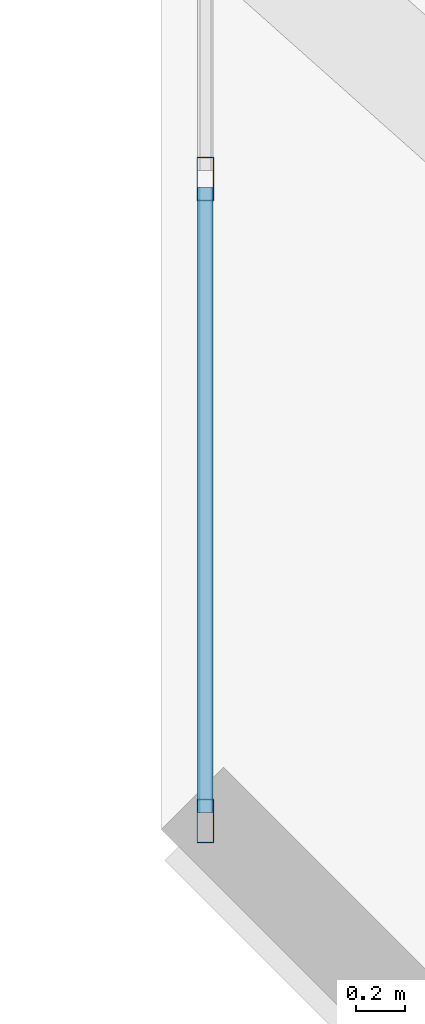
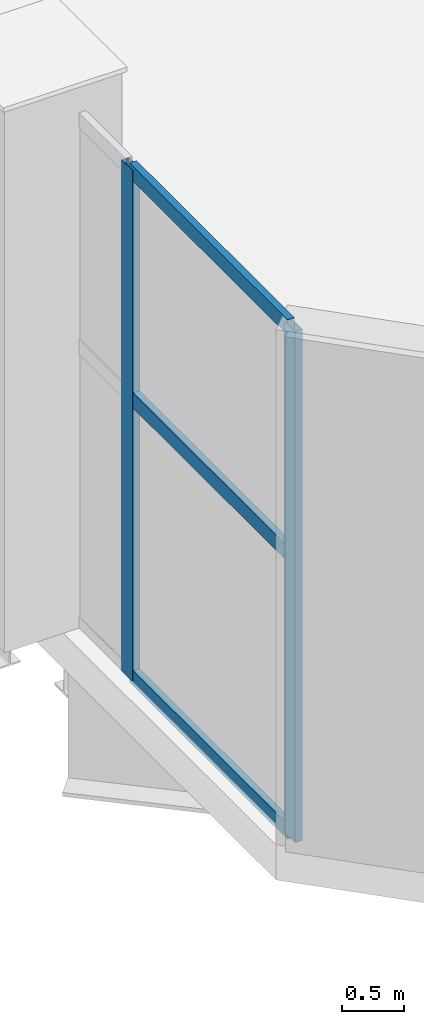
# One storey, part 4 of 26: 5 members, 1 element without a shape of its own.
"""IFC4 building model written with IfcOpenShell, lengths in metres."""

from ifc_helpers import new_model, si_unit, direction, frame, origin, origin_2d, place, context, subcontext, project, spatial, hollow_rectangle, extrude, material, layer, layer_set, material_profile, profile_set, type_object, element, aggregate, save


model = new_model("IFC4")

# Units and contexts
model_context = context("Model", 3, precision=1e-05, world=origin(), true_north=direction((0.0, 1.0)))
body_context = subcontext(model_context, "Body", "Model", "MODEL_VIEW")
ifc_project = project(units=[si_unit("LENGTHUNIT", "METRE"), si_unit("AREAUNIT", "SQUARE_METRE"), si_unit("VOLUMEUNIT", "CUBIC_METRE"), si_unit("PLANEANGLEUNIT", "RADIAN"), si_unit("MASSUNIT", "GRAM", prefix="KILO")], contexts=[model_context])

# Site, building, storey
site_placement = place(None, origin())
site = spatial("IfcSite", under=ifc_project, at=site_placement, CompositionType="ELEMENT")
building_placement = place(site_placement, origin())
building = spatial("IfcBuilding", under=site, at=building_placement, Name="Qianrong Seaharbour Tower", CompositionType="ELEMENT")
storey_placement = place(building_placement, frame((0.0, 0.0, 108.199951171875)))
storey = spatial("IfcBuildingStorey", under=building, at=storey_placement, Name="L26", CompositionType="ELEMENT", Elevation=108.199951171875)

# Curtain wall, members
ifc_material_1 = material(Name="Anodised aluminium 6063-T6 and laminated low-e glass", Category="aluminium")
ifc_layer = layer(ifc_material_1, 0.18505859375)
ifc_layer_set = layer_set([ifc_layer], Name="Anodised aluminium 6063-T6 and laminated low-e glass")
curtain_wall_type = type_object("IfcCurtainWallType", Name="CW-SYS-4", PredefinedType="NOTDEFINED", material=ifc_layer_set)
curtain_wall_placement = place(storey_placement, origin())
curtain_wall = element("IfcCurtainWall", 1, at=curtain_wall_placement, inside=storey, type_object=curtain_wall_type, Name="L26 Refuge Acoustic Louvre Curtain Wall WEST_TIP", PredefinedType="NOTDEFINED")
ifc_material_2 = material(Name="Extruded aluminium 6063-T6", Category="aluminium")
ifc_material_profile_1 = material_profile(ifc_material_2, hollow_rectangle(XDim=0.070068359375, YDim=0.179931640625, WallThickness=0.00390625, at=origin_2d()), Name="ALU-MUL-180x70x4")
ifc_profile_set_1 = profile_set([ifc_material_profile_1], Name="Extruded aluminium 6063-T6")
member_type_1 = type_object("IfcMemberType", Name="CW-MUL-180", PredefinedType="MULLION", material=ifc_profile_set_1)
member_1_placement = place(storey_placement, frame((0.179931640625, 32.034912109375, 0.0), z_axis=(0.0, 0.0, 1.0), x_axis=(-1.0, 0.0, 0.0)))
member_1 = element("IfcMember", 2, at=member_1_placement, type_object=member_type_1, Name="CW-4 mullion 1", PredefinedType="MULLION", context=body_context, shape_type="SweptSolid", body=[
    extrude(hollow_rectangle(XDim=0.070068359375, YDim=0.179931640625, WallThickness=0.00390625, at=origin_2d()), origin(), (0.0, 0.0, 1.0), 5.06005859375),
])
member_2_placement = place(storey_placement, frame((0.179931640625, 34.666748046875, 0.0), z_axis=(0.0, 0.0, 1.0), x_axis=(-1.0, 0.0, 0.0)))
member_2 = element("IfcMember", 3, at=member_2_placement, type_object=member_type_1, Name="CW-4 mullion 2", PredefinedType="MULLION", context=body_context, shape_type="SweptSolid", body=[
    extrude(hollow_rectangle(XDim=0.070068359375, YDim=0.179931640625, WallThickness=0.00390625, at=origin_2d()), origin(), (0.0, 0.0, 1.0), 5.06005859375),
])
ifc_material_profile_2 = material_profile(ifc_material_2, hollow_rectangle(XDim=0.06494140625, YDim=0.14990234375, WallThickness=0.00390625, at=origin_2d()), Name="ALU-TRN-150x65x4")
ifc_profile_set_2 = profile_set([ifc_material_profile_2], Name="Extruded aluminium 6063-T6")
member_type_2 = type_object("IfcMemberType", Name="CW-TRN-150", PredefinedType="USERDEFINED", material=ifc_profile_set_2)
member_3_placement = place(storey_placement, frame((0.179931640625, 32.070068359375, 0.032470703125), z_axis=(0.0, 1.0, 0.0), x_axis=(-1.0, 0.0, 0.0)))
member_3 = element("IfcMember", 4, at=member_3_placement, type_object=member_type_2, Name="CW-4 transom 1.1", ObjectType="TRANSOM", PredefinedType="USERDEFINED", context=body_context, shape_type="SweptSolid", body=[
    extrude(hollow_rectangle(XDim=0.06494140625, YDim=0.14990234375, WallThickness=0.00390625, at=origin_2d()), origin(), (0.0, 0.0, 1.0), 2.5615234375),
])
member_4_placement = place(storey_placement, frame((0.179931640625, 32.070068359375, 2.782958984375), z_axis=(0.0, 1.0, 0.0), x_axis=(-1.0, 0.0, 0.0)))
member_4 = element("IfcMember", 5, at=member_4_placement, type_object=member_type_2, Name="CW-4 transom 1.2", ObjectType="TRANSOM", PredefinedType="USERDEFINED", context=body_context, shape_type="SweptSolid", body=[
    extrude(hollow_rectangle(XDim=0.06494140625, YDim=0.14990234375, WallThickness=0.00390625, at=origin_2d()), origin(), (0.0, 0.0, 1.0), 2.5615234375),
])
member_5_placement = place(storey_placement, frame((0.179931640625, 32.070068359375, 5.027587890625), z_axis=(0.0, 1.0, 0.0), x_axis=(-1.0, 0.0, 0.0)))
member_5 = element("IfcMember", 6, at=member_5_placement, type_object=member_type_2, Name="CW-4 transom 1.3", ObjectType="TRANSOM", PredefinedType="USERDEFINED", context=body_context, shape_type="SweptSolid", body=[
    extrude(hollow_rectangle(XDim=0.06494140625, YDim=0.14990234375, WallThickness=0.00390625, at=origin_2d()), origin(), (0.0, 0.0, 1.0), 2.5615234375),
])
aggregate(curtain_wall, [member_1, member_2, member_3, member_4, member_5])

save(model, "model.ifc")
